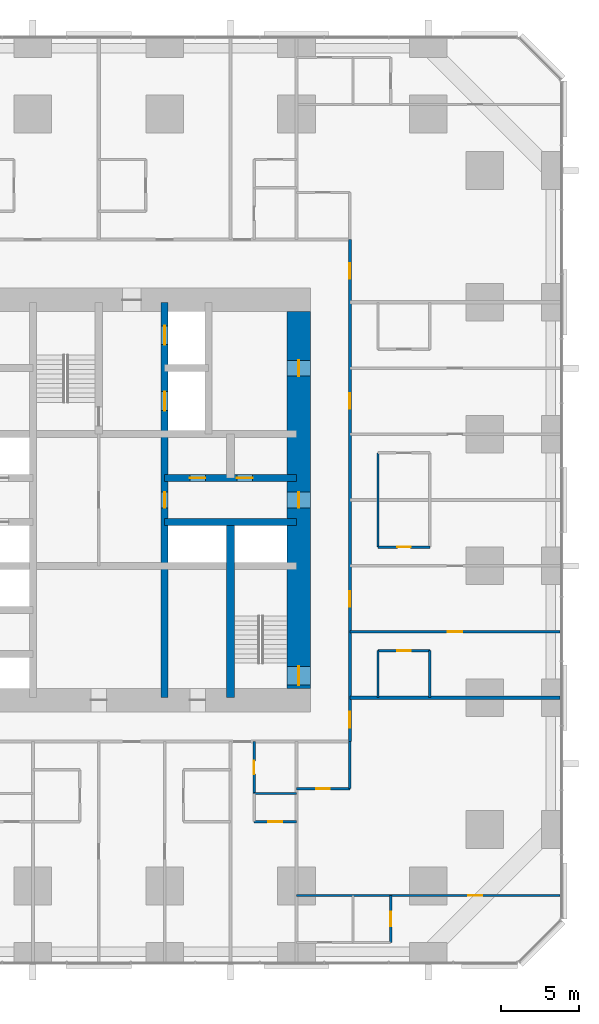
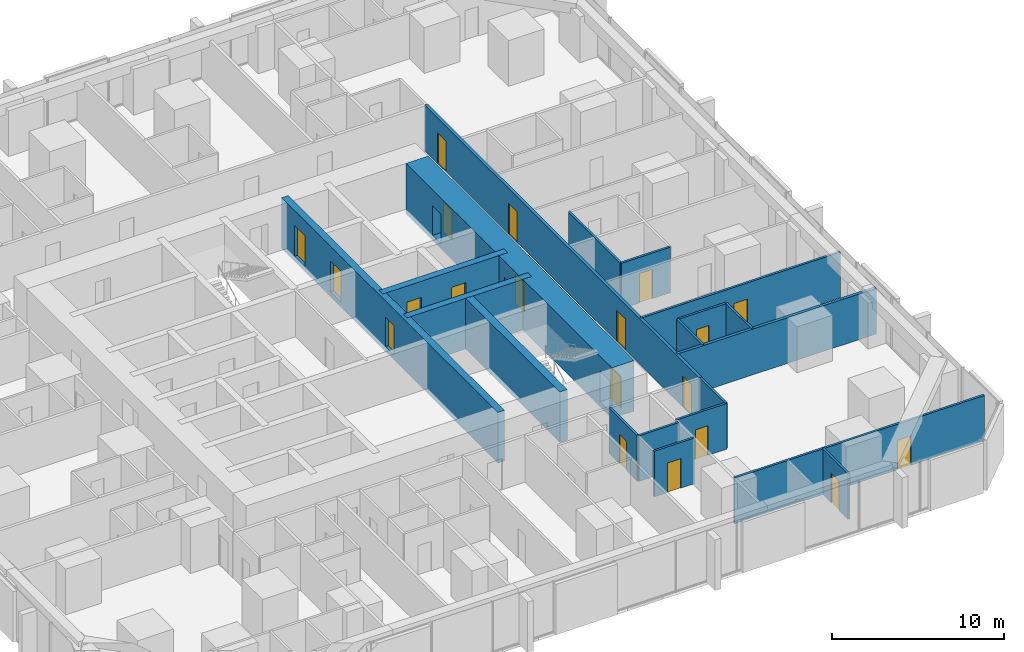
# One storey, part 13 of 17: 20 doors, 20 walls, 20 openings.
"""IFC4 building model written with IfcOpenShell, lengths in metres."""

import ifcopenshell
import ifcopenshell.guid

model = None  # the IFC model being written
_history = None  # IfcOwnerHistory: only IFC2X3 demands one
_inside = {}  # id of a spatial element -> (the spatial element, [elements in it])
_under = {}  # id of a project, library or spatial element -> (it, [spatial elements below it])
_declared = {}  # id of a project -> (the project, [libraries it declares])
_typed = {}  # id of a type object -> (the type object, [elements of that type])
_made_of = {}  # id of a material, layer set ... -> (it, [elements and type objects made of it])


def new_model(schema):
    """Start an empty IFC model of exactly this schema.

    Asked for "IFC4X3", IfcOpenShell would pick the latest addendum, in which some entities
    have other attributes; the version numbers below select the first issue.
    IFC2X3 requires an IfcOwnerHistory on every rooted entity: one is made here for all.
    """
    global model, _history
    if schema == "IFC4X3":
        model = ifcopenshell.file(schema_version=(4, 3, 0, 0))
    else:
        model = ifcopenshell.file(schema=schema)
    _inside.clear()
    _under.clear()
    _declared.clear()
    _typed.clear()
    _made_of.clear()
    _history = None
    if model.schema == "IFC2X3":
        org = make("IfcOrganization", Name="unknown")
        user = make(
            "IfcPersonAndOrganization",
            ThePerson=make("IfcPerson", FamilyName="unknown"),
            TheOrganization=org,
        )
        app = make(
            "IfcApplication",
            ApplicationDeveloper=org,
            Version="unknown",
            ApplicationFullName="unknown",
            ApplicationIdentifier="unknown",
        )
        _history = make(
            "IfcOwnerHistory",
            OwningUser=user,
            OwningApplication=app,
            ChangeAction="ADDED",
            CreationDate=0,
        )
    return model


def make(cls, **values):
    """One entity of the class cls with the attributes given. An attribute that is None is left unset."""
    return model.create_entity(
        cls, **{name: value for name, value in values.items() if value is not None}
    )


def rooted(cls, **values):
    """An entity with a GlobalId (a new one), such as an element, a storey or a relation."""
    return make(cls, GlobalId=ifcopenshell.guid.new(), OwnerHistory=_history, **values)


def si_unit(unit_type, name, prefix=None):
    """IfcSIUnit, for example si_unit("LENGTHUNIT", "METRE", prefix="MILLI")."""
    return make("IfcSIUnit", UnitType=unit_type, Prefix=prefix, Name=name)


def assignment(units):
    """IfcUnitAssignment: the units of a project."""
    return None if units is None else make("IfcUnitAssignment", Units=units)


def point(xyz):
    """IfcCartesianPoint."""
    return None if xyz is None else make("IfcCartesianPoint", Coordinates=xyz)


def direction(xyz):
    """IfcDirection."""
    return None if xyz is None else make("IfcDirection", DirectionRatios=xyz)


def frame(location, z_axis=None, x_axis=None):
    """IfcAxis2Placement3D, a coordinate frame: its origin and axes. An axis left out is left unset."""
    return make(
        "IfcAxis2Placement3D",
        Location=point(location),
        Axis=direction(z_axis),
        RefDirection=direction(x_axis),
    )


def frame_2d(location, x_axis=None):
    """IfcAxis2Placement2D, a coordinate frame in the plane: its origin and x axis."""
    return make(
        "IfcAxis2Placement2D", Location=point(location), RefDirection=direction(x_axis)
    )


def origin():
    """The frame at (0, 0, 0) with its axes left unset."""
    return frame((0.0, 0.0, 0.0))


def place(relative_to, where):
    """IfcLocalPlacement: puts the frame where relative to a parent placement (None: the world)."""
    return make(
        "IfcLocalPlacement", PlacementRelTo=relative_to, RelativePlacement=where
    )


def context(
    kind, dimensions, precision=None, world=None, true_north=None, identifier=None
):
    """IfcGeometricRepresentationContext, for example the 3D "Model" context."""
    return make(
        "IfcGeometricRepresentationContext",
        ContextIdentifier=identifier,
        ContextType=kind,
        CoordinateSpaceDimension=dimensions,
        Precision=precision,
        WorldCoordinateSystem=world,
        TrueNorth=true_north,
    )


def subcontext(parent, identifier, kind, view, scale=None):
    """IfcGeometricRepresentationSubContext, for example "Body" below "Model"."""
    return make(
        "IfcGeometricRepresentationSubContext",
        ContextIdentifier=identifier,
        ContextType=kind,
        ParentContext=parent,
        TargetScale=scale,
        TargetView=view,
    )


def project(units=None, contexts=None):
    """IfcProject with its units and contexts."""
    return rooted(
        "IfcProject",
        Name="project",
        RepresentationContexts=contexts,
        UnitsInContext=assignment(units),
    )


def spatial(cls, under=None, at=None, **own):
    """A site, building, storey or space (cls), placed at a placement, below another one or the project."""
    s = rooted(cls, ObjectPlacement=at, **own)
    if under is not None:
        _under.setdefault(under.id(), (under, []))[1].append(s)
    return s


def profile(cls, at=None, kind="AREA", **sizes):
    """A parametric profile (cls). Its sizes go by their IFC names, for example OverallWidth=200.0."""
    return make(cls, ProfileType=kind, Position=at, **sizes)


def rectangle(**sizes):
    """IfcRectangleProfileDef."""
    return profile("IfcRectangleProfileDef", **sizes)


def extrude(swept, where, along, depth):
    """IfcExtrudedAreaSolid: the profile swept, set in the frame where, extruded along a direction by depth."""
    return make(
        "IfcExtrudedAreaSolid",
        SweptArea=swept,
        Position=where,
        ExtrudedDirection=direction(along),
        Depth=depth,
    )


def shape(context_of_items, identifier, shape_type, items):
    """IfcShapeRepresentation: the items that make up one representation, for example the "Body"."""
    return make(
        "IfcShapeRepresentation",
        ContextOfItems=context_of_items,
        RepresentationIdentifier=identifier,
        RepresentationType=shape_type,
        Items=items,
    )


def material(Name=None, Category=None):
    """IfcMaterial."""
    return make("IfcMaterial", Name=Name, Category=Category)


def layer(
    of_material, thickness, ventilated=None, Name=None, Category=None, Priority=None
):
    """IfcMaterialLayer: one layer of a wall or slab, of a material (None: an air gap)."""
    return make(
        "IfcMaterialLayer",
        Material=of_material,
        LayerThickness=thickness,
        IsVentilated=ventilated,
        Name=Name,
        Category=Category,
        Priority=Priority,
    )


def layer_set(layers, Name=None):
    """IfcMaterialLayerSet."""
    return make("IfcMaterialLayerSet", MaterialLayers=layers, LayerSetName=Name)


def made_of(thing, what):
    """Note that an element or type object is made of a material, layer set ...; save() writes the relation."""
    if what is not None:
        _made_of.setdefault(what.id(), (what, []))[1].append(thing)
    return thing


def type_object(cls, material=None, **own):
    """A type object (cls), such as IfcWallType, which elements share."""
    return made_of(rooted(cls, **own), material)


def element(
    cls,
    number,
    at=None,
    inside=None,
    cuts=None,
    type_object=None,
    material=None,
    context=None,
    identifier="Body",
    shape_type=None,
    held_by="IfcProductDefinitionShape",
    body=None,
    shapes=None,
    **own,
):
    """One element of the class cls, such as IfcWall. Its Tag is "e" and its number.

    at: its placement. inside: the storey or other place that contains it. cuts: it is an
    opening in that element (IfcRelVoidsElement). A single representation is given by context,
    identifier, shape_type and body (its items); several are given by shapes. held_by: the class
    of the entity that holds the representations. save() writes the other relations.
    """
    e = rooted(cls, Tag="e%d" % number, ObjectPlacement=at, **own)
    if body is not None:
        shapes = [shape(context, identifier, shape_type, body)]
    if shapes is not None:
        e.Representation = make(held_by, Representations=shapes)
    if inside is not None:
        _inside.setdefault(inside.id(), (inside, []))[1].append(e)
    if cuts is not None:
        rooted(
            "IfcRelVoidsElement", RelatingBuildingElement=cuts, RelatedOpeningElement=e
        )
    if type_object is not None:
        _typed.setdefault(type_object.id(), (type_object, []))[1].append(e)
    return made_of(e, material)


def fill(opening, filler):
    """IfcRelFillsElement: the door or window that sits in an opening."""
    return rooted(
        "IfcRelFillsElement",
        RelatingOpeningElement=opening,
        RelatedBuildingElement=filler,
    )


def aggregate(whole, parts):
    """IfcRelAggregates: a whole, such as a stair, and the parts it consists of."""
    return rooted("IfcRelAggregates", RelatingObject=whole, RelatedObjects=parts)


def save(model, path):
    """Write the relations noted so far, then the file.

    IfcRelAggregates (storeys below a building ...), IfcRelContainedInSpatialStructure (elements
    in a storey), IfcRelDefinesByType, IfcRelAssociatesMaterial and IfcRelDeclares: one each for
    every whole, place, type object, material and project.
    """
    for whole, parts in _under.values():
        aggregate(whole, parts)
    for where, things in _inside.values():
        rooted(
            "IfcRelContainedInSpatialStructure",
            RelatedElements=things,
            RelatingStructure=where,
        )
    for kind, things in _typed.values():
        rooted("IfcRelDefinesByType", RelatedObjects=things, RelatingType=kind)
    for what, things in _made_of.values():
        rooted("IfcRelAssociatesMaterial", RelatedObjects=things, RelatingMaterial=what)
    for by, libraries in _declared.values():
        rooted("IfcRelDeclares", RelatingContext=by, RelatedDefinitions=libraries)
    model.write(path)


model = new_model("IFC4")

# Units and contexts
model_context = context("Model", 3, precision=1e-05, world=origin(), true_north=direction((0.0, 1.0)))
body_context = subcontext(model_context, "Body", "Model", "MODEL_VIEW")
ifc_project = project(units=[si_unit("LENGTHUNIT", "METRE"), si_unit("AREAUNIT", "SQUARE_METRE"), si_unit("VOLUMEUNIT", "CUBIC_METRE"), si_unit("PLANEANGLEUNIT", "RADIAN"), si_unit("MASSUNIT", "GRAM", prefix="KILO")], contexts=[model_context])

# Site, building, storey
site_placement = place(None, origin())
site = spatial("IfcSite", under=ifc_project, at=site_placement, CompositionType="ELEMENT")
building_placement = place(site_placement, origin())
building = spatial("IfcBuilding", under=site, at=building_placement, Name="Dunama Terrace Hotel", CompositionType="ELEMENT")
storey_placement = place(building_placement, frame((0.0, 0.0, 81.0)))
storey = spatial("IfcBuildingStorey", under=building, at=storey_placement, Name="L20", CompositionType="ELEMENT", Elevation=81.0)

# Wall, opening, door
ifc_material_1 = material(Name="Gypsum board partition", Category="masonry")
ifc_layer_1 = layer(ifc_material_1, 0.14990234375)
ifc_layer_set_1 = layer_set([ifc_layer_1], Name="Bathroom partition 150")
wall_type_1 = type_object("IfcWallType", Name="Bathroom partition 150", PredefinedType="PARTITIONING", material=ifc_layer_set_1)
wall_1_placement = place(storey_placement, frame((39.300048828125, 10.699951171875, 0.0), z_axis=(0.0, 0.0, 1.0), x_axis=(0.0, 1.0, 0.0)))
wall_1 = element("IfcWall", 1, at=wall_1_placement, inside=storey, type_object=wall_type_1, Name="Bathroom partition 150 L20", PredefinedType="PARTITIONING", context=body_context, shape_type="SweptSolid", body=[
    extrude(rectangle(XDim=3.300048828125, YDim=0.14990234375, at=frame_2d((1.64990234375, 0.0))), origin(), (0.0, 0.0, 1.0), 3.25),
])
opening_1_placement = place(wall_1_placement, frame((1.22509765625, 0.0, 0.0)))
opening_1 = element("IfcOpeningElement", 2, at=opening_1_placement, cuts=wall_1, Name="Opening L20-021", PredefinedType="OPENING", context=body_context, shape_type="SweptSolid", body=[
    extrude(rectangle(XDim=0.85009765625, YDim=2.10009765625, at=frame_2d((0.425048828125, 1.050048828125))), frame((0.0, 0.0849609375, 0.0), z_axis=(0.0, -1.0, 0.0), x_axis=(1.0, 0.0, 0.0)), (0.0, 0.0, 1.0), 0.169921875),
])
ifc_material_2 = material(Name="Timber door with steel frame", Category="steel")
door_type_1 = type_object("IfcDoorType", Name="Bathroom door 850", OperationType="SINGLE_SWING_LEFT", PredefinedType="DOOR", material=ifc_material_2)
door_1_placement = place(opening_1_placement, frame((0.85009765625, 0.0, 0.0), z_axis=(0.0, 0.0, 1.0), x_axis=(-1.0, 0.0, 0.0)))
door_1 = element("IfcDoor", 3, at=door_1_placement, inside=storey, type_object=door_type_1, Name="Door to en-suite bathroom L20-021, type D2", OperationType="SINGLE_SWING_LEFT", OverallHeight=2.10009765625, OverallWidth=0.85009765625, PredefinedType="DOOR", context=body_context, shape_type="SweptSolid", body=[
    extrude(rectangle(XDim=0.85009765625, YDim=2.10009765625, at=frame_2d((0.425048828125, 1.050048828125))), frame((0.0, 0.025146484375, 0.0), z_axis=(0.0, -1.0, 0.0), x_axis=(1.0, 0.0, 0.0)), (0.0, 0.0, 1.0), 0.050048828125),
])
fill(opening_1, door_1)

# Walls
for number, where, z_axis, x_axis, name in (
    (4, (45.39990234375, 11.0, 0.0), (0.0, 0.0, 1.0), (0.0, 1.0, 0.0), "Bathroom partition 150 L20"),
    (5, (47.199951171875, 16.800048828125, 0.0), (0.0, 0.0, 1.0), (0.0, 1.0, 0.0), "Bathroom partition 150 L20"),
):
    element("IfcWall", number, at=place(storey_placement, frame(where, z_axis=z_axis, x_axis=x_axis)), inside=storey, type_object=wall_type_1, Name=name, PredefinedType="PARTITIONING", context=body_context, shape_type="SweptSolid", body=[
        extrude(rectangle(XDim=3.0, YDim=0.14990234375, at=frame_2d((1.5, 0.0))), origin(), (0.0, 0.0, 1.0), 3.25),
    ])
wall_2_placement = place(storey_placement, frame((47.199951171875, 26.39990234375, 0.0), z_axis=(0.0, 0.0, 1.0), x_axis=(0.0, 1.0, 0.0)))
element("IfcWall", 6, at=wall_2_placement, inside=storey, type_object=wall_type_1, Name="Bathroom partition 150 L20", PredefinedType="PARTITIONING", context=body_context, shape_type="SweptSolid", body=[
    extrude(rectangle(XDim=6.0, YDim=0.14990234375, at=frame_2d((3.0, 0.0))), origin(), (0.0, 0.0, 1.0), 3.25),
])
wall_3_placement = place(storey_placement, frame((50.5, 16.800048828125, 0.0), z_axis=(0.0, 0.0, 1.0), x_axis=(0.0, 1.0, 0.0)))
element("IfcWall", 7, at=wall_3_placement, inside=storey, type_object=wall_type_1, Name="Bathroom partition 150 L20", PredefinedType="PARTITIONING", context=body_context, shape_type="SweptSolid", body=[
    extrude(rectangle(XDim=3.0, YDim=0.14990234375, at=frame_2d((1.5, 0.0))), origin(), (0.0, 0.0, 1.0), 3.25),
])

# Wall, opening, door
wall_4_placement = place(storey_placement, frame((42.0, 11.0, 0.0), z_axis=(0.0, 0.0, 1.0), x_axis=(1.0, 0.0, 0.0)))
wall_4 = element("IfcWall", 8, at=wall_4_placement, inside=storey, type_object=wall_type_1, Name="Bathroom partition 150 L20", PredefinedType="PARTITIONING", context=body_context, shape_type="SweptSolid", body=[
    extrude(rectangle(XDim=3.39990234375, YDim=0.14990234375, at=frame_2d((1.699951171875, 0.0))), origin(), (0.0, 0.0, 1.0), 3.25),
])
opening_2_placement = place(wall_4_placement, frame((1.27490234375, 0.0, 0.0)))
opening_2 = element("IfcOpeningElement", 9, at=opening_2_placement, cuts=wall_4, Name="Opening L20-059", PredefinedType="OPENING", context=body_context, shape_type="SweptSolid", body=[
    extrude(rectangle(XDim=0.85009765625, YDim=2.10009765625, at=frame_2d((0.425048828125, 1.050048828125))), frame((0.0, 0.0849609375, 0.0), z_axis=(0.0, -1.0, 0.0), x_axis=(1.0, 0.0, 0.0)), (0.0, 0.0, 1.0), 0.169921875),
])
door_2_placement = place(opening_2_placement, origin())
door_2 = element("IfcDoor", 10, at=door_2_placement, inside=storey, type_object=door_type_1, Name="Door to powder room L20-059, type D2", OperationType="SINGLE_SWING_LEFT", OverallHeight=2.10009765625, OverallWidth=0.85009765625, PredefinedType="DOOR", context=body_context, shape_type="SweptSolid", body=[
    extrude(rectangle(XDim=0.85009765625, YDim=2.10009765625, at=frame_2d((0.425048828125, 1.050048828125))), frame((0.0, 0.02490234375, 0.0), z_axis=(0.0, -1.0, 0.0), x_axis=(1.0, 0.0, 0.0)), (0.0, 0.0, 1.0), 0.050048828125),
])
fill(opening_2, door_2)

wall_5_placement = place(storey_placement, frame((47.199951171875, 19.800048828125, 0.0), z_axis=(0.0, 0.0, 1.0), x_axis=(1.0, 0.0, 0.0)))
wall_5 = element("IfcWall", 11, at=wall_5_placement, inside=storey, type_object=wall_type_1, Name="Bathroom partition 150 L20", PredefinedType="PARTITIONING", context=body_context, shape_type="SweptSolid", body=[
    extrude(rectangle(XDim=3.300048828125, YDim=0.14990234375, at=frame_2d((1.64990234375, 0.0))), origin(), (0.0, 0.0, 1.0), 3.25),
])
opening_3_placement = place(wall_5_placement, frame((1.22509765625, 0.0, 0.0)))
opening_3 = element("IfcOpeningElement", 12, at=opening_3_placement, cuts=wall_5, Name="Opening L20-025", PredefinedType="OPENING", context=body_context, shape_type="SweptSolid", body=[
    extrude(rectangle(XDim=0.85009765625, YDim=2.10009765625, at=frame_2d((0.425048828125, 1.050048828125))), frame((0.0, 0.0849609375, 0.0), z_axis=(0.0, -1.0, 0.0), x_axis=(1.0, 0.0, 0.0)), (0.0, 0.0, 1.0), 0.169921875),
])
door_3_placement = place(opening_3_placement, frame((0.85009765625, 0.0, 0.0), z_axis=(0.0, 0.0, 1.0), x_axis=(-1.0, 0.0, 0.0)))
door_3 = element("IfcDoor", 13, at=door_3_placement, inside=storey, type_object=door_type_1, Name="Door to en-suite bathroom L20-025, type D2", OperationType="SINGLE_SWING_RIGHT", OverallHeight=2.10009765625, OverallWidth=0.85009765625, PredefinedType="DOOR", context=body_context, shape_type="SweptSolid", body=[
    extrude(rectangle(XDim=0.85009765625, YDim=2.10009765625, at=frame_2d((0.425048828125, 1.050048828125))), frame((0.0, 0.025146484375, 0.0), z_axis=(0.0, -1.0, 0.0), x_axis=(1.0, 0.0, 0.0)), (0.0, 0.0, 1.0), 0.050048828125),
])
fill(opening_3, door_3)

wall_6_placement = place(storey_placement, frame((47.199951171875, 26.39990234375, 0.0), z_axis=(0.0, 0.0, 1.0), x_axis=(1.0, 0.0, 0.0)))
wall_6 = element("IfcWall", 14, at=wall_6_placement, inside=storey, type_object=wall_type_1, Name="Bathroom partition 150 L20", PredefinedType="PARTITIONING", context=body_context, shape_type="SweptSolid", body=[
    extrude(rectangle(XDim=3.300048828125, YDim=0.14990234375, at=frame_2d((1.64990234375, 0.0))), origin(), (0.0, 0.0, 1.0), 3.25),
])
opening_4_placement = place(wall_6_placement, frame((1.22509765625, 0.0, 0.0)))
opening_4 = element("IfcOpeningElement", 15, at=opening_4_placement, cuts=wall_6, Name="Opening L20-027", PredefinedType="OPENING", context=body_context, shape_type="SweptSolid", body=[
    extrude(rectangle(XDim=0.85009765625, YDim=2.10009765625, at=frame_2d((0.425048828125, 1.050048828125))), frame((0.0, 0.0849609375, 0.0), z_axis=(0.0, -1.0, 0.0), x_axis=(1.0, 0.0, 0.0)), (0.0, 0.0, 1.0), 0.169921875),
])
door_4_placement = place(opening_4_placement, origin())
door_4 = element("IfcDoor", 16, at=door_4_placement, inside=storey, type_object=door_type_1, Name="Door to en-suite bathroom L20-027, type D2", OperationType="SINGLE_SWING_LEFT", OverallHeight=2.10009765625, OverallWidth=0.85009765625, PredefinedType="DOOR", context=body_context, shape_type="SweptSolid", body=[
    extrude(rectangle(XDim=0.85009765625, YDim=2.10009765625, at=frame_2d((0.425048828125, 1.050048828125))), frame((0.0, 0.02490234375, 0.0), z_axis=(0.0, -1.0, 0.0), x_axis=(1.0, 0.0, 0.0)), (0.0, 0.0, 1.0), 0.050048828125),
])
fill(opening_4, door_4)

# Wall, openings, doors
ifc_material_3 = material(Name="Concrete C50/60", Category="concrete")
ifc_layer_2 = layer(ifc_material_3, 0.449951171875)
ifc_layer_set_2 = layer_set([ifc_layer_2], Name="Core inner wall 450")
wall_type_2 = type_object("IfcWallType", Name="Core inner wall 450", PredefinedType="SHEAR", material=ifc_layer_set_2)
wall_7_placement = place(storey_placement, frame((33.60009765625, 16.800048828125, -0.35009765625), z_axis=(0.0, 0.0, 1.0), x_axis=(0.0, 1.0, 0.0)))
wall_7 = element("IfcWall", 17, at=wall_7_placement, inside=storey, type_object=wall_type_2, Name="Core inner wall 450 L20", PredefinedType="SHEAR", context=body_context, shape_type="SweptSolid", body=[
    extrude(rectangle(XDim=25.199951171875, YDim=0.449951171875, at=frame_2d((12.60009765625, 0.0))), origin(), (0.0, 0.0, 1.0), 3.60009765625),
])
opening_5_placement = place(wall_7_placement, frame((22.5, 0.0, 0.35009765625)))
opening_5 = element("IfcOpeningElement", 18, at=opening_5_placement, cuts=wall_7, Name="Opening L20-007", PredefinedType="OPENING", context=body_context, shape_type="SweptSolid", body=[
    extrude(rectangle(XDim=1.199951171875, YDim=2.199951171875, at=frame_2d((0.60009765625, 1.10009765625))), frame((0.0, 0.23486328125, 0.0), z_axis=(0.0, -1.0, 0.0), x_axis=(1.0, 0.0, 0.0)), (0.0, 0.0, 1.0), 0.469970703125),
])
opening_6_placement = place(wall_7_placement, frame((18.300048828125, 0.0, 0.35009765625)))
opening_6 = element("IfcOpeningElement", 19, at=opening_6_placement, cuts=wall_7, Name="Opening L20-008", PredefinedType="OPENING", context=body_context, shape_type="SweptSolid", body=[
    extrude(rectangle(XDim=1.199951171875, YDim=2.199951171875, at=frame_2d((0.60009765625, 1.10009765625))), frame((0.0, 0.23486328125, 0.0), z_axis=(0.0, -1.0, 0.0), x_axis=(1.0, 0.0, 0.0)), (0.0, 0.0, 1.0), 0.469970703125),
])
opening_7_placement = place(wall_7_placement, frame((12.10009765625, 0.0, 0.35009765625)))
opening_7 = element("IfcOpeningElement", 20, at=opening_7_placement, cuts=wall_7, Name="Opening L20-077", PredefinedType="OPENING", context=body_context, shape_type="SweptSolid", body=[
    extrude(rectangle(XDim=1.0, YDim=2.10009765625, at=frame_2d((0.5, 1.050048828125))), frame((0.0, 0.23486328125, 0.0), z_axis=(0.0, -1.0, 0.0), x_axis=(1.0, 0.0, 0.0)), (0.0, 0.0, 1.0), 0.469970703125),
])
ifc_material_4 = material(Name="Stainless steel lift door", Category="steel")
door_type_2 = type_object("IfcDoorType", Name="Firefighting lift landing door 1200", OperationType="DOUBLE_DOOR_SLIDING", PredefinedType="DOOR", material=ifc_material_4)
door_5_placement = place(opening_5_placement, origin())
door_5 = element("IfcDoor", 21, at=door_5_placement, inside=storey, type_object=door_type_2, Name="Landing door FL1 L20-007, type LD2", OperationType="DOUBLE_DOOR_SLIDING", OverallHeight=2.199951171875, OverallWidth=1.199951171875, PredefinedType="DOOR", context=body_context, shape_type="SweptSolid", body=[
    extrude(rectangle(XDim=1.199951171875, YDim=2.199951171875, at=frame_2d((0.60009765625, 1.10009765625))), frame((0.0, 0.02490234375, 0.0), z_axis=(0.0, -1.0, 0.0), x_axis=(1.0, 0.0, 0.0)), (0.0, 0.0, 1.0), 0.050048828125),
])
fill(opening_5, door_5)
door_6_placement = place(opening_6_placement, origin())
door_6 = element("IfcDoor", 22, at=door_6_placement, inside=storey, type_object=door_type_2, Name="Landing door FL2 L20-008, type LD2", OperationType="DOUBLE_DOOR_SLIDING", OverallHeight=2.199951171875, OverallWidth=1.199951171875, PredefinedType="DOOR", context=body_context, shape_type="SweptSolid", body=[
    extrude(rectangle(XDim=1.199951171875, YDim=2.199951171875, at=frame_2d((0.60009765625, 1.10009765625))), frame((0.0, 0.02490234375, 0.0), z_axis=(0.0, -1.0, 0.0), x_axis=(1.0, 0.0, 0.0)), (0.0, 0.0, 1.0), 0.050048828125),
])
fill(opening_6, door_6)
ifc_material_5 = material(Name="Timber door with steel frame", Category="steel")
door_type_3 = type_object("IfcDoorType", Name="Service door 1000", OperationType="SINGLE_SWING_LEFT", PredefinedType="DOOR", material=ifc_material_5)
door_7_placement = place(opening_7_placement, origin())
door_7 = element("IfcDoor", 23, at=door_7_placement, inside=storey, type_object=door_type_3, Name="Door to guest amenities store L20-077, type D7", OperationType="SINGLE_SWING_LEFT", OverallHeight=2.10009765625, OverallWidth=1.0, PredefinedType="DOOR", context=body_context, shape_type="SweptSolid", body=[
    extrude(rectangle(XDim=1.0, YDim=2.10009765625, at=frame_2d((0.5, 1.050048828125))), frame((0.0, 0.02490234375, 0.0), z_axis=(0.0, -1.0, 0.0), x_axis=(1.0, 0.0, 0.0)), (0.0, 0.0, 1.0), 0.050048828125),
])
fill(opening_7, door_7)

# Wall
wall_8_placement = place(storey_placement, frame((33.60009765625, 28.0, -0.35009765625), z_axis=(0.0, 0.0, 1.0), x_axis=(1.0, 0.0, 0.0)))
element("IfcWall", 24, at=wall_8_placement, inside=storey, type_object=wall_type_2, Name="Core inner wall 450 L20", PredefinedType="SHEAR", context=body_context, shape_type="SweptSolid", body=[
    extrude(rectangle(XDim=8.39990234375, YDim=0.449951171875, at=frame_2d((4.199951171875, 0.0))), origin(), (0.0, 0.0, 1.0), 3.60009765625),
])

# Wall, openings, doors
wall_9_placement = place(storey_placement, frame((33.60009765625, 30.800048828125, -0.35009765625), z_axis=(0.0, 0.0, 1.0), x_axis=(1.0, 0.0, 0.0)))
wall_9 = element("IfcWall", 25, at=wall_9_placement, inside=storey, type_object=wall_type_2, Name="Core inner wall 450 L20", PredefinedType="SHEAR", context=body_context, shape_type="SweptSolid", body=[
    extrude(rectangle(XDim=8.39990234375, YDim=0.449951171875, at=frame_2d((4.199951171875, 0.0))), origin(), (0.0, 0.0, 1.0), 3.60009765625),
])
opening_8_placement = place(wall_9_placement, frame((1.60009765625, 0.0, 0.35009765625)))
opening_8 = element("IfcOpeningElement", 26, at=opening_8_placement, cuts=wall_9, Name="Opening L20-079", PredefinedType="OPENING", context=body_context, shape_type="SweptSolid", body=[
    extrude(rectangle(XDim=1.0, YDim=2.10009765625, at=frame_2d((0.5, 1.050048828125))), frame((0.0, 0.23486328125, 0.0), z_axis=(0.0, -1.0, 0.0), x_axis=(1.0, 0.0, 0.0)), (0.0, 0.0, 1.0), 0.469970703125),
])
opening_9_placement = place(wall_9_placement, frame((4.60009765625, 0.0, 0.35009765625)))
opening_9 = element("IfcOpeningElement", 27, at=opening_9_placement, cuts=wall_9, Name="Opening L20-080", PredefinedType="OPENING", context=body_context, shape_type="SweptSolid", body=[
    extrude(rectangle(XDim=1.0, YDim=2.10009765625, at=frame_2d((0.5, 1.050048828125))), frame((0.0, 0.23486328125, 0.0), z_axis=(0.0, -1.0, 0.0), x_axis=(1.0, 0.0, 0.0)), (0.0, 0.0, 1.0), 0.469970703125),
])
door_8_placement = place(opening_8_placement, origin())
door_8 = element("IfcDoor", 28, at=door_8_placement, inside=storey, type_object=door_type_3, Name="Door to service riser L20-079, type D7", OperationType="SINGLE_SWING_RIGHT", OverallHeight=2.10009765625, OverallWidth=1.0, PredefinedType="DOOR", context=body_context, shape_type="SweptSolid", body=[
    extrude(rectangle(XDim=1.0, YDim=2.10009765625, at=frame_2d((0.5, 1.050048828125))), frame((0.0, 0.02490234375, 0.0), z_axis=(0.0, -1.0, 0.0), x_axis=(1.0, 0.0, 0.0)), (0.0, 0.0, 1.0), 0.050048828125),
])
fill(opening_8, door_8)
door_9_placement = place(opening_9_placement, origin())
door_9 = element("IfcDoor", 29, at=door_9_placement, inside=storey, type_object=door_type_3, Name="Door to staff accessible wc L20-080, type D7", OperationType="SINGLE_SWING_LEFT", OverallHeight=2.10009765625, OverallWidth=1.0, PredefinedType="DOOR", context=body_context, shape_type="SweptSolid", body=[
    extrude(rectangle(XDim=1.0, YDim=2.10009765625, at=frame_2d((0.5, 1.050048828125))), frame((0.0, 0.02490234375, 0.0), z_axis=(0.0, -1.0, 0.0), x_axis=(1.0, 0.0, 0.0)), (0.0, 0.0, 1.0), 0.050048828125),
])
fill(opening_9, door_9)

# Wall
ifc_material_6 = material(Name="Concrete C50/60", Category="concrete")
ifc_layer_3 = layer(ifc_material_6, 0.5)
ifc_layer_set_3 = layer_set([ifc_layer_3], Name="Core inner wall 500")
wall_type_3 = type_object("IfcWallType", Name="Core inner wall 500", PredefinedType="SHEAR", material=ifc_layer_set_3)
wall_10_placement = place(storey_placement, frame((37.800048828125, 16.800048828125, -0.35009765625), z_axis=(0.0, 0.0, 1.0), x_axis=(0.0, 1.0, 0.0)))
element("IfcWall", 30, at=wall_10_placement, inside=storey, type_object=wall_type_3, Name="Core inner wall 500 L20", PredefinedType="SHEAR", context=body_context, shape_type="SweptSolid", body=[
    extrude(rectangle(XDim=11.199951171875, YDim=0.5, at=frame_2d((5.60009765625, 0.0))), origin(), (0.0, 0.0, 1.0), 3.60009765625),
])

# Wall, openings, doors
ifc_material_7 = material(Name="Concrete C60/75", Category="concrete")
ifc_layer_4 = layer(ifc_material_7, 1.5)
ifc_layer_set_4 = layer_set([ifc_layer_4], Name="Core wall 1500")
wall_type_4 = type_object("IfcWallType", Name="Core wall 1500", PredefinedType="SHEAR", material=ifc_layer_set_4)
wall_11_placement = place(storey_placement, frame((42.14990234375, 17.39990234375, -0.35009765625), z_axis=(0.0, 0.0, 1.0), x_axis=(0.0, 1.0, 0.0)))
wall_11 = element("IfcWall", 31, at=wall_11_placement, inside=storey, type_object=wall_type_4, Name="Core wall east L20", PredefinedType="SHEAR", context=body_context, shape_type="SweptSolid", body=[
    extrude(rectangle(XDim=24.0, YDim=1.5, at=frame_2d((12.0, 0.0))), origin(), (0.0, 0.0, 1.0), 3.60009765625),
])
opening_10_placement = place(wall_11_placement, frame((0.199951171875, 0.0, 0.35009765625)))
opening_10 = element("IfcOpeningElement", 32, at=opening_10_placement, cuts=wall_11, Name="Opening L20-002", PredefinedType="OPENING", context=body_context, shape_type="SweptSolid", body=[
    extrude(rectangle(XDim=1.199951171875, YDim=2.199951171875, at=frame_2d((0.60009765625, 1.10009765625))), frame((0.0, 0.760009765625, 0.0), z_axis=(0.0, -1.0, 0.0), x_axis=(1.0, 0.0, 0.0)), (0.0, 0.0, 1.0), 1.52001953125),
])
opening_11_placement = place(wall_11_placement, frame((11.5, 0.0, 0.35009765625)))
opening_11 = element("IfcOpeningElement", 33, at=opening_11_placement, cuts=wall_11, Name="Opening L20-081", PredefinedType="OPENING", context=body_context, shape_type="SweptSolid", body=[
    extrude(rectangle(XDim=1.0, YDim=2.10009765625, at=frame_2d((0.5, 1.050048828125))), frame((0.0, 0.760009765625, 0.0), z_axis=(0.0, -1.0, 0.0), x_axis=(1.0, 0.0, 0.0)), (0.0, 0.0, 1.0), 1.52001953125),
])
opening_12_placement = place(wall_11_placement, frame((19.89990234375, 0.0, 0.35009765625)))
opening_12 = element("IfcOpeningElement", 34, at=opening_12_placement, cuts=wall_11, Name="Opening L20-083", PredefinedType="OPENING", context=body_context, shape_type="SweptSolid", body=[
    extrude(rectangle(XDim=1.0, YDim=2.10009765625, at=frame_2d((0.5, 1.050048828125))), frame((0.0, 0.760009765625, 0.0), z_axis=(0.0, -1.0, 0.0), x_axis=(1.0, 0.0, 0.0)), (0.0, 0.0, 1.0), 1.52001953125),
])
door_10_placement = place(opening_11_placement, origin())
door_10 = element("IfcDoor", 35, at=door_10_placement, inside=storey, type_object=door_type_3, Name="Door to service lobby L20-081, type D7", OperationType="SINGLE_SWING_LEFT", OverallHeight=2.10009765625, OverallWidth=1.0, PredefinedType="DOOR", context=body_context, shape_type="SweptSolid", body=[
    extrude(rectangle(XDim=1.0, YDim=2.10009765625, at=frame_2d((0.5, 1.050048828125))), frame((0.0, 0.02490234375, 0.0), z_axis=(0.0, -1.0, 0.0), x_axis=(1.0, 0.0, 0.0)), (0.0, 0.0, 1.0), 0.050048828125),
])
fill(opening_11, door_10)
door_11_placement = place(opening_12_placement, origin())
door_11 = element("IfcDoor", 36, at=door_11_placement, inside=storey, type_object=door_type_3, Name="Door to housekeeping store L20-083, type D7", OperationType="SINGLE_SWING_RIGHT", OverallHeight=2.10009765625, OverallWidth=1.0, PredefinedType="DOOR", context=body_context, shape_type="SweptSolid", body=[
    extrude(rectangle(XDim=1.0, YDim=2.10009765625, at=frame_2d((0.5, 1.050048828125))), frame((0.0, 0.02490234375, 0.0), z_axis=(0.0, -1.0, 0.0), x_axis=(1.0, 0.0, 0.0)), (0.0, 0.0, 1.0), 0.050048828125),
])
fill(opening_12, door_11)
ifc_material_8 = material(Name="Timber door with steel frame", Category="steel")
door_type_4 = type_object("IfcDoorType", Name="Stair door 1200", OperationType="SINGLE_SWING_LEFT", PredefinedType="DOOR", material=ifc_material_8)
door_12_placement = place(opening_10_placement, origin())
door_12 = element("IfcDoor", 37, at=door_12_placement, inside=storey, type_object=door_type_4, Name="Stair door ST2 L20-002, type D5", OperationType="SINGLE_SWING_LEFT", OverallHeight=2.199951171875, OverallWidth=1.199951171875, PredefinedType="DOOR", context=body_context, shape_type="SweptSolid", body=[
    extrude(rectangle(XDim=1.199951171875, YDim=2.199951171875, at=frame_2d((0.60009765625, 1.10009765625))), frame((0.0, 0.02490234375, 0.0), z_axis=(0.0, -1.0, 0.0), x_axis=(1.0, 0.0, 0.0)), (0.0, 0.0, 1.0), 0.050048828125),
])
fill(opening_10, door_12)

ifc_material_9 = material(Name="Concrete blockwork", Category="masonry")
ifc_layer_5 = layer(ifc_material_9, 0.199951171875)
ifc_layer_set_5 = layer_set([ifc_layer_5], Name="Corridor partition 200")
wall_type_5 = type_object("IfcWallType", Name="Corridor partition 200", PredefinedType="PARTITIONING", material=ifc_layer_set_5)
wall_12_placement = place(storey_placement, frame((45.39990234375, 46.0, 0.0), z_axis=(0.0, 0.0, 1.0), x_axis=(0.0, -1.0, 0.0)))
wall_12 = element("IfcWall", 38, at=wall_12_placement, inside=storey, type_object=wall_type_5, Name="Corridor partition 200 L20", PredefinedType="PARTITIONING", context=body_context, shape_type="SweptSolid", body=[
    extrude(rectangle(XDim=32.0, YDim=0.199951171875, at=frame_2d((16.0, 0.0))), origin(), (0.0, 0.0, 1.0), 3.25),
])
opening_13_placement = place(wall_12_placement, frame((22.39990234375, 0.0, 0.0)))
opening_13 = element("IfcOpeningElement", 39, at=opening_13_placement, cuts=wall_12, Name="Opening L20-023", PredefinedType="OPENING", context=body_context, shape_type="SweptSolid", body=[
    extrude(rectangle(XDim=1.0, YDim=2.199951171875, at=frame_2d((0.5, 1.10009765625))), frame((0.0, 0.10986328125, 0.0), z_axis=(0.0, -1.0, 0.0), x_axis=(1.0, 0.0, 0.0)), (0.0, 0.0, 1.0), 0.219970703125),
])
opening_14_placement = place(wall_12_placement, frame((9.800048828125, 0.0, 0.0)))
opening_14 = element("IfcOpeningElement", 40, at=opening_14_placement, cuts=wall_12, Name="Opening L20-028", PredefinedType="OPENING", context=body_context, shape_type="SweptSolid", body=[
    extrude(rectangle(XDim=1.0, YDim=2.199951171875, at=frame_2d((0.5, 1.10009765625))), frame((0.0, 0.10986328125, 0.0), z_axis=(0.0, -1.0, 0.0), x_axis=(1.0, 0.0, 0.0)), (0.0, 0.0, 1.0), 0.219970703125),
])
opening_15_placement = place(wall_12_placement, frame((30.10009765625, 0.0, 0.0)))
opening_15 = element("IfcOpeningElement", 41, at=opening_15_placement, cuts=wall_12, Name="Opening L20-058", PredefinedType="OPENING", context=body_context, shape_type="SweptSolid", body=[
    extrude(rectangle(XDim=1.0, YDim=2.199951171875, at=frame_2d((0.5, 1.10009765625))), frame((0.0, 0.10986328125, 0.0), z_axis=(0.0, -1.0, 0.0), x_axis=(1.0, 0.0, 0.0)), (0.0, 0.0, 1.0), 0.219970703125),
])
opening_16_placement = place(wall_12_placement, frame((1.5, 0.0, 0.0)))
opening_16 = element("IfcOpeningElement", 42, at=opening_16_placement, cuts=wall_12, Name="Opening L20-063", PredefinedType="OPENING", context=body_context, shape_type="SweptSolid", body=[
    extrude(rectangle(XDim=1.0, YDim=2.199951171875, at=frame_2d((0.5, 1.10009765625))), frame((0.0, 0.10986328125, 0.0), z_axis=(0.0, -1.0, 0.0), x_axis=(1.0, 0.0, 0.0)), (0.0, 0.0, 1.0), 0.219970703125),
])
ifc_material_10 = material(Name="Timber door with steel frame", Category="steel")
door_type_5 = type_object("IfcDoorType", Name="Guest room door 1000", OperationType="SINGLE_SWING_LEFT", PredefinedType="DOOR", material=ifc_material_10)
door_13_placement = place(opening_13_placement, origin())
door_13 = element("IfcDoor", 43, at=door_13_placement, inside=storey, type_object=door_type_5, Name="Door to family suite living room L20-023, type D1", OperationType="SINGLE_SWING_LEFT", OverallHeight=2.199951171875, OverallWidth=1.0, PredefinedType="DOOR", context=body_context, shape_type="SweptSolid", body=[
    extrude(rectangle(XDim=1.0, YDim=2.199951171875, at=frame_2d((0.5, 1.10009765625))), frame((0.0, 0.02490234375, 0.0), z_axis=(0.0, -1.0, 0.0), x_axis=(1.0, 0.0, 0.0)), (0.0, 0.0, 1.0), 0.050048828125),
])
fill(opening_13, door_13)
door_14_placement = place(opening_14_placement, origin())
door_14 = element("IfcDoor", 44, at=door_14_placement, inside=storey, type_object=door_type_5, Name="Door to family suite living room L20-028, type D1", OperationType="SINGLE_SWING_LEFT", OverallHeight=2.199951171875, OverallWidth=1.0, PredefinedType="DOOR", context=body_context, shape_type="SweptSolid", body=[
    extrude(rectangle(XDim=1.0, YDim=2.199951171875, at=frame_2d((0.5, 1.10009765625))), frame((0.0, 0.02490234375, 0.0), z_axis=(0.0, -1.0, 0.0), x_axis=(1.0, 0.0, 0.0)), (0.0, 0.0, 1.0), 0.050048828125),
])
fill(opening_14, door_14)
door_15_placement = place(opening_15_placement, origin())
door_15 = element("IfcDoor", 45, at=door_15_placement, inside=storey, type_object=door_type_5, Name="Door to corner suite living room L20-058, type D1", OperationType="SINGLE_SWING_RIGHT", OverallHeight=2.199951171875, OverallWidth=1.0, PredefinedType="DOOR", context=body_context, shape_type="SweptSolid", body=[
    extrude(rectangle(XDim=1.0, YDim=2.199951171875, at=frame_2d((0.5, 1.10009765625))), frame((0.0, 0.02490234375, 0.0), z_axis=(0.0, -1.0, 0.0), x_axis=(1.0, 0.0, 0.0)), (0.0, 0.0, 1.0), 0.050048828125),
])
fill(opening_15, door_15)
door_16_placement = place(opening_16_placement, origin())
door_16 = element("IfcDoor", 46, at=door_16_placement, inside=storey, type_object=door_type_5, Name="Door to corner suite living room L20-063, type D1", OperationType="SINGLE_SWING_LEFT", OverallHeight=2.199951171875, OverallWidth=1.0, PredefinedType="DOOR", context=body_context, shape_type="SweptSolid", body=[
    extrude(rectangle(XDim=1.0, YDim=2.199951171875, at=frame_2d((0.5, 1.10009765625))), frame((0.0, 0.02490234375, 0.0), z_axis=(0.0, -1.0, 0.0), x_axis=(1.0, 0.0, 0.0)), (0.0, 0.0, 1.0), 0.050048828125),
])
fill(opening_16, door_16)

# Wall
ifc_material_11 = material(Name="Concrete blockwork", Category="masonry")
ifc_layer_6 = layer(ifc_material_11, 0.199951171875)
ifc_layer_set_6 = layer_set([ifc_layer_6], Name="Party wall 200")
wall_type_6 = type_object("IfcWallType", Name="Party wall 200", PredefinedType="PARTITIONING", material=ifc_layer_set_6)
wall_13_placement = place(storey_placement, frame((45.39990234375, 16.800048828125, 0.0), z_axis=(0.0, 0.0, 1.0), x_axis=(1.0, 0.0, 0.0)))
element("IfcWall", 47, at=wall_13_placement, inside=storey, type_object=wall_type_6, Name="Party wall 200 L20", PredefinedType="PARTITIONING", context=body_context, shape_type="SweptSolid", body=[
    extrude(rectangle(XDim=13.408203125, YDim=0.199951171875, at=frame_2d((6.7041015625, 0.0))), origin(), (0.0, 0.0, 1.0), 3.25),
])

# Wall, opening, door
ifc_material_12 = material(Name="Gypsum board partition", Category="masonry")
ifc_layer_7 = layer(ifc_material_12, 0.14990234375)
ifc_layer_set_7 = layer_set([ifc_layer_7], Name="Room partition 150")
wall_type_7 = type_object("IfcWallType", Name="Room partition 150", PredefinedType="PARTITIONING", material=ifc_layer_set_7)
wall_14_placement = place(storey_placement, frame((48.0, 1.199951171875, 0.0), z_axis=(0.0, 0.0, 1.0), x_axis=(0.0, 1.0, 0.0)))
wall_14 = element("IfcWall", 48, at=wall_14_placement, inside=storey, type_object=wall_type_7, Name="Room partition 150 L20", PredefinedType="PARTITIONING", context=body_context, shape_type="SweptSolid", body=[
    extrude(rectangle(XDim=3.0, YDim=0.14990234375, at=frame_2d((1.5, 0.0))), origin(), (0.0, 0.0, 1.0), 3.25),
])
opening_17_placement = place(wall_14_placement, frame((1.050048828125, 0.0, 0.0)))
opening_17 = element("IfcOpeningElement", 49, at=opening_17_placement, cuts=wall_14, Name="Opening L20-062", PredefinedType="OPENING", context=body_context, shape_type="SweptSolid", body=[
    extrude(rectangle(XDim=0.89990234375, YDim=2.10009765625, at=frame_2d((0.449951171875, 1.050048828125))), frame((0.0, 0.0849609375, 0.0), z_axis=(0.0, -1.0, 0.0), x_axis=(1.0, 0.0, 0.0)), (0.0, 0.0, 1.0), 0.169921875),
])
ifc_material_13 = material(Name="Timber door with steel frame", Category="steel")
door_type_6 = type_object("IfcDoorType", Name="Suite internal door 900", OperationType="SINGLE_SWING_LEFT", PredefinedType="DOOR", material=ifc_material_13)
door_17_placement = place(opening_17_placement, origin())
door_17 = element("IfcDoor", 50, at=door_17_placement, inside=storey, type_object=door_type_6, Name="Door to dressing room L20-062, type D16", OperationType="SINGLE_SWING_LEFT", OverallHeight=2.10009765625, OverallWidth=0.89990234375, PredefinedType="DOOR", context=body_context, shape_type="SweptSolid", body=[
    extrude(rectangle(XDim=0.89990234375, YDim=2.10009765625, at=frame_2d((0.449951171875, 1.050048828125))), frame((0.0, 0.02490234375, 0.0), z_axis=(0.0, -1.0, 0.0), x_axis=(1.0, 0.0, 0.0)), (0.0, 0.0, 1.0), 0.050048828125),
])
fill(opening_17, door_17)

wall_15_placement = place(storey_placement, frame((42.0, 4.199951171875, 0.0), z_axis=(0.0, 0.0, 1.0), x_axis=(1.0, 0.0, 0.0)))
wall_15 = element("IfcWall", 51, at=wall_15_placement, inside=storey, type_object=wall_type_7, Name="Room partition 150 L20", PredefinedType="PARTITIONING", context=body_context, shape_type="SweptSolid", body=[
    extrude(rectangle(XDim=16.80810546875, YDim=0.14990234375, at=frame_2d((8.404052734375, 0.0))), origin(), (0.0, 0.0, 1.0), 3.25),
])
opening_18_placement = place(wall_15_placement, frame((10.949951171875, 0.0, 0.0)))
opening_18 = element("IfcOpeningElement", 52, at=opening_18_placement, cuts=wall_15, Name="Opening L20-060", PredefinedType="OPENING", context=body_context, shape_type="SweptSolid", body=[
    extrude(rectangle(XDim=0.89990234375, YDim=2.10009765625, at=frame_2d((0.449951171875, 1.050048828125))), frame((0.0, 0.0849609375, 0.0), z_axis=(0.0, -1.0, 0.0), x_axis=(1.0, 0.0, 0.0)), (0.0, 0.0, 1.0), 0.169921875),
])
door_18_placement = place(opening_18_placement, frame((0.89990234375, 0.0, 0.0), z_axis=(0.0, 0.0, 1.0), x_axis=(-1.0, 0.0, 0.0)))
door_18 = element("IfcDoor", 53, at=door_18_placement, inside=storey, type_object=door_type_6, Name="Door to corner suite bedroom L20-060, type D16", OperationType="SINGLE_SWING_RIGHT", OverallHeight=2.10009765625, OverallWidth=0.89990234375, PredefinedType="DOOR", context=body_context, shape_type="SweptSolid", body=[
    extrude(rectangle(XDim=0.89990234375, YDim=2.10009765625, at=frame_2d((0.449951171875, 1.050048828125))), frame((0.0, 0.025146484375, 0.0), z_axis=(0.0, -1.0, 0.0), x_axis=(1.0, 0.0, 0.0)), (0.0, 0.0, 1.0), 0.050048828125),
])
fill(opening_18, door_18)

wall_16_placement = place(storey_placement, frame((39.300048828125, 8.89990234375, 0.0), z_axis=(0.0, 0.0, 1.0), x_axis=(1.0, 0.0, 0.0)))
wall_16 = element("IfcWall", 54, at=wall_16_placement, inside=storey, type_object=wall_type_7, Name="Room partition 150 L20", PredefinedType="PARTITIONING", context=body_context, shape_type="SweptSolid", body=[
    extrude(rectangle(XDim=2.699951171875, YDim=0.14990234375, at=frame_2d((1.35009765625, 0.0))), origin(), (0.0, 0.0, 1.0), 3.25),
])
opening_19_placement = place(wall_16_placement, frame((0.89990234375, 0.0, 0.0)))
opening_19 = element("IfcOpeningElement", 55, at=opening_19_placement, cuts=wall_16, Name="Opening L20-022", PredefinedType="OPENING", context=body_context, shape_type="SweptSolid", body=[
    extrude(rectangle(XDim=0.89990234375, YDim=2.10009765625, at=frame_2d((0.449951171875, 1.050048828125))), frame((0.0, 0.0849609375, 0.0), z_axis=(0.0, -1.0, 0.0), x_axis=(1.0, 0.0, 0.0)), (0.0, 0.0, 1.0), 0.169921875),
])
door_19_placement = place(opening_19_placement, origin())
door_19 = element("IfcDoor", 56, at=door_19_placement, inside=storey, type_object=door_type_6, Name="Door to walk-in wardrobe L20-022, type D16", OperationType="SINGLE_SWING_RIGHT", OverallHeight=2.10009765625, OverallWidth=0.89990234375, PredefinedType="DOOR", context=body_context, shape_type="SweptSolid", body=[
    extrude(rectangle(XDim=0.89990234375, YDim=2.10009765625, at=frame_2d((0.449951171875, 1.050048828125))), frame((0.0, 0.02490234375, 0.0), z_axis=(0.0, -1.0, 0.0), x_axis=(1.0, 0.0, 0.0)), (0.0, 0.0, 1.0), 0.050048828125),
])
fill(opening_19, door_19)

# Wall
wall_17_placement = place(storey_placement, frame((39.300048828125, 10.699951171875, 0.0), z_axis=(0.0, 0.0, 1.0), x_axis=(1.0, 0.0, 0.0)))
element("IfcWall", 57, at=wall_17_placement, inside=storey, type_object=wall_type_7, Name="Room partition 150 L20", PredefinedType="PARTITIONING", context=body_context, shape_type="SweptSolid", body=[
    extrude(rectangle(XDim=2.699951171875, YDim=0.14990234375, at=frame_2d((1.35009765625, 0.0))), origin(), (0.0, 0.0, 1.0), 3.25),
])

# Wall, opening, door
wall_18_placement = place(storey_placement, frame((45.39990234375, 21.0, 0.0), z_axis=(0.0, 0.0, 1.0), x_axis=(1.0, 0.0, 0.0)))
wall_18 = element("IfcWall", 58, at=wall_18_placement, inside=storey, type_object=wall_type_7, Name="Room partition 150 L20", PredefinedType="PARTITIONING", context=body_context, shape_type="SweptSolid", body=[
    extrude(rectangle(XDim=13.408203125, YDim=0.14990234375, at=frame_2d((6.7041015625, 0.0))), origin(), (0.0, 0.0, 1.0), 3.25),
])
opening_20_placement = place(wall_18_placement, frame((6.25, 0.0, 0.0)))
opening_20 = element("IfcOpeningElement", 59, at=opening_20_placement, cuts=wall_18, Name="Opening L20-024", PredefinedType="OPENING", context=body_context, shape_type="SweptSolid", body=[
    extrude(rectangle(XDim=0.89990234375, YDim=2.10009765625, at=frame_2d((0.449951171875, 1.050048828125))), frame((0.0, 0.0849609375, 0.0), z_axis=(0.0, -1.0, 0.0), x_axis=(1.0, 0.0, 0.0)), (0.0, 0.0, 1.0), 0.169921875),
])
door_20_placement = place(opening_20_placement, frame((0.89990234375, 0.0, 0.0), z_axis=(0.0, 0.0, 1.0), x_axis=(-1.0, 0.0, 0.0)))
door_20 = element("IfcDoor", 60, at=door_20_placement, inside=storey, type_object=door_type_6, Name="Door to family suite bedroom L20-024, type D16", OperationType="SINGLE_SWING_RIGHT", OverallHeight=2.10009765625, OverallWidth=0.89990234375, PredefinedType="DOOR", context=body_context, shape_type="SweptSolid", body=[
    extrude(rectangle(XDim=0.89990234375, YDim=2.10009765625, at=frame_2d((0.449951171875, 1.050048828125))), frame((0.0, 0.025146484375, 0.0), z_axis=(0.0, -1.0, 0.0), x_axis=(1.0, 0.0, 0.0)), (0.0, 0.0, 1.0), 0.050048828125),
])
fill(opening_20, door_20)

save(model, "model.ifc")
